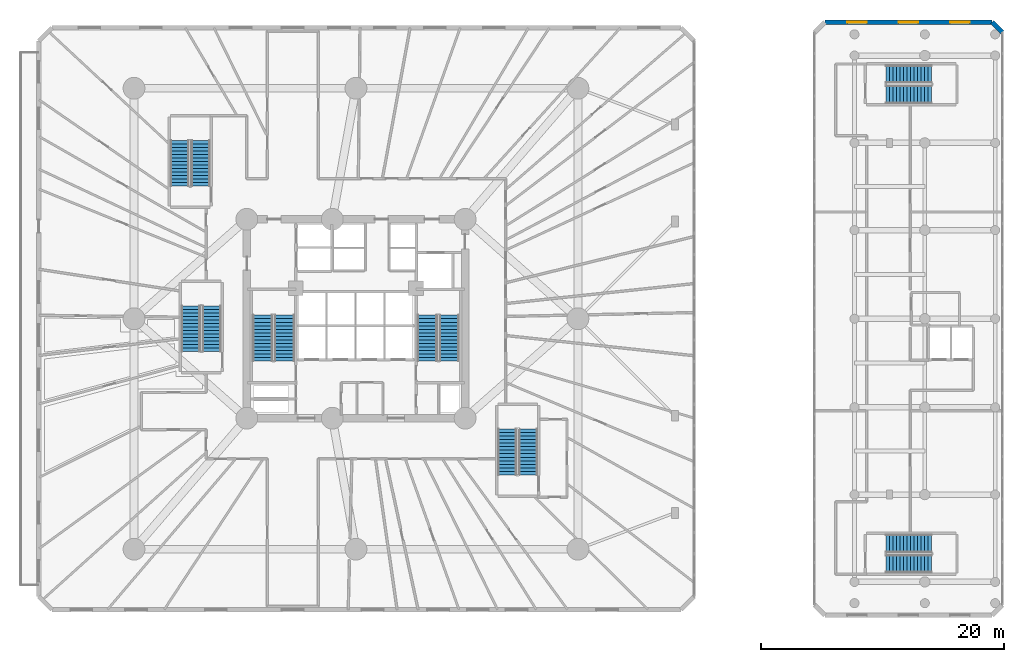
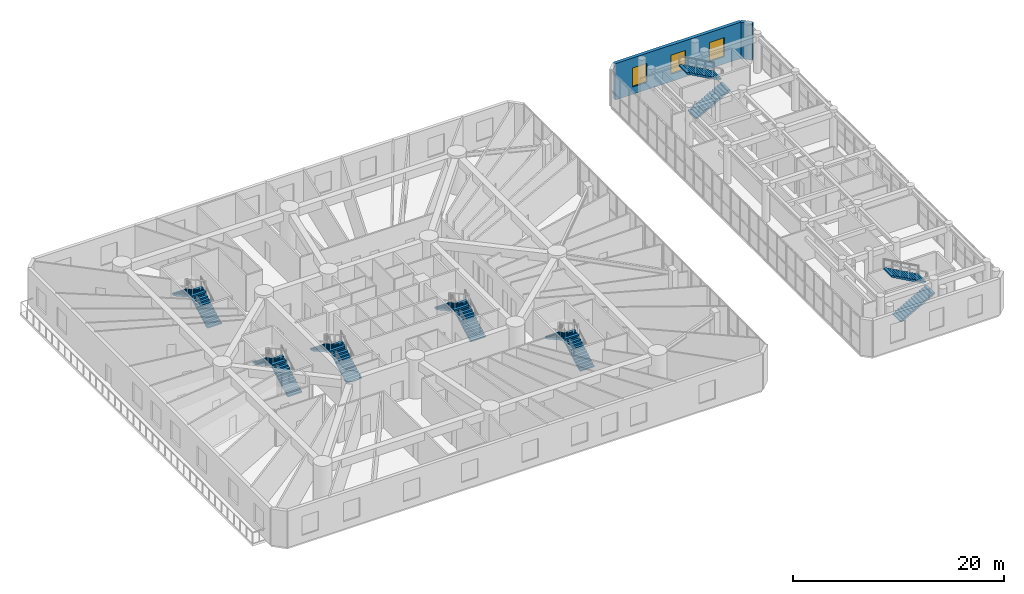
# One storey, part 20 of 26: 14 stair flights, 3 windows, 2 walls, 3 openings, 7 elements without a shape of their own.
"""IFC4 building model written with IfcOpenShell, lengths in metres."""

from ifc_helpers import new_model, si_unit, direction, frame, frame_2d, origin, origin_with_axes, place, context, subcontext, project, spatial, polyline, rectangle, outline, extrude, source, transform, mapped, material, layer, layer_set, type_object, element, fill, aggregate, save


model = new_model("IFC4")

# Units and contexts
model_context = context("Model", 3, precision=1e-05, world=origin(), true_north=direction((0.0, 1.0)))
body_context = subcontext(model_context, "Body", "Model", "MODEL_VIEW")
ifc_project = project(units=[si_unit("LENGTHUNIT", "METRE"), si_unit("AREAUNIT", "SQUARE_METRE"), si_unit("VOLUMEUNIT", "CUBIC_METRE"), si_unit("PLANEANGLEUNIT", "RADIAN"), si_unit("MASSUNIT", "GRAM", prefix="KILO")], contexts=[model_context])

# Site, building, storey
site_placement = place(None, origin())
site = spatial("IfcSite", under=ifc_project, at=site_placement, CompositionType="ELEMENT")
building_placement = place(site_placement, origin())
building = spatial("IfcBuilding", under=site, at=building_placement, Name="Karkom Vertical University and Central Library", CompositionType="ELEMENT")
storey_placement = place(building_placement, frame((0.0, 0.0, 4.5)))
storey = spatial("IfcBuildingStorey", under=building, at=storey_placement, Name="L01", CompositionType="ELEMENT", Elevation=4.5)

# Wall
ifc_material_1 = material(Name="Brick masonry 360mm insulated cavity", Category="masonry")
ifc_layer = layer(ifc_material_1, 0.360107421875)
ifc_layer_set = layer_set([ifc_layer], Name="Brick masonry 360mm insulated cavity")
wall_type = type_object("IfcWallType", Name="ENV-WL-BRK-360", PredefinedType="SOLIDWALL", material=ifc_layer_set)
wall_1_placement = place(storey_placement, frame((81.800048828125, 50.10009765625, 0.0), z_axis=(0.0, 0.0, 1.0), x_axis=(-0.707208325923, 0.707005221866, 0.0)))
element("IfcWall", 1, at=wall_1_placement, inside=storey, type_object=wall_type, Name="Level 01 LIB Terracotta Brick Facade Wall 04", PredefinedType="SOLIDWALL", context=body_context, shape_type="SweptSolid", body=[
    extrude(rectangle(XDim=1.2021484375, YDim=0.360107421875, at=frame_2d((0.60107421875, 0.0))), origin(), (0.0, 0.0, 1.0), 4.199951171875),
])

# Wall, openings, windows
wall_2_placement = place(storey_placement, frame((80.949951171875, 50.949951171875, 0.0), z_axis=(0.0, 0.0, 1.0), x_axis=(-1.0, 0.0, 0.0)))
wall_2 = element("IfcWall", 2, at=wall_2_placement, inside=storey, type_object=wall_type, Name="Level 01 LIB Terracotta Brick Facade Wall 05", PredefinedType="SOLIDWALL", context=body_context, shape_type="SweptSolid", body=[
    extrude(rectangle(XDim=13.800048828125, YDim=0.360107421875, at=frame_2d((6.89990234375, 0.0))), origin(), (0.0, 0.0, 1.0), 4.199951171875),
])
opening_1_placement = place(wall_2_placement, frame((1.86669921875, 0.0, 0.85009765625)))
opening_1 = element("IfcOpeningElement", 3, at=opening_1_placement, cuts=wall_2, Name="Opening WN-02", PredefinedType="OPENING", context=body_context, shape_type="SweptSolid", body=[
    extrude(rectangle(XDim=1.60009765625, YDim=2.199951171875, at=frame_2d((0.800048828125, 1.10009765625))), frame((0.0, 0.18994140625, 0.0), z_axis=(0.0, -1.0, 0.0), x_axis=(1.0, 0.0, 0.0)), (0.0, 0.0, 1.0), 0.380126953125),
])
opening_2_placement = place(wall_2_placement, frame((6.10009765625, 0.0, 0.85009765625)))
opening_2 = element("IfcOpeningElement", 4, at=opening_2_placement, cuts=wall_2, Name="Opening WN-02", PredefinedType="OPENING", context=body_context, shape_type="SweptSolid", body=[
    extrude(rectangle(XDim=1.60009765625, YDim=2.199951171875, at=frame_2d((0.800048828125, 1.10009765625))), frame((0.0, 0.18994140625, 0.0), z_axis=(0.0, -1.0, 0.0), x_axis=(1.0, 0.0, 0.0)), (0.0, 0.0, 1.0), 0.380126953125),
])
opening_3_placement = place(wall_2_placement, frame((10.333251953125, 0.0, 0.85009765625)))
opening_3 = element("IfcOpeningElement", 5, at=opening_3_placement, cuts=wall_2, Name="Opening WN-02", PredefinedType="OPENING", context=body_context, shape_type="SweptSolid", body=[
    extrude(rectangle(XDim=1.60009765625, YDim=2.199951171875, at=frame_2d((0.800048828125, 1.10009765625))), frame((0.0, 0.18994140625, 0.0), z_axis=(0.0, -1.0, 0.0), x_axis=(1.0, 0.0, 0.0)), (0.0, 0.0, 1.0), 0.380126953125),
])
ifc_material_2 = material(Name="Aluminium thermal-break frame with solar-control IGU", Category="aluminium")
window_type = type_object("IfcWindowType", Name="ENV-WIN-WN-02", PartitioningType="SINGLE_PANEL", PredefinedType="WINDOW", material=ifc_material_2)
shared_shape = source(origin_with_axes(), body_context, "Body", "SweptSolid", [
    extrude(rectangle(XDim=1.60009765625, YDim=2.199951171875, at=frame_2d((0.800048828125, 1.10009765625))), frame((0.0, 0.030029296875, 0.0), z_axis=(0.0, -1.0, 0.0), x_axis=(1.0, 0.0, 0.0)), (0.0, 0.0, 1.0), 0.06005859375),
])
window_1_placement = place(opening_1_placement, origin())
window_1 = element("IfcWindow", 6, at=window_1_placement, inside=storey, type_object=window_type, Name="Level 01 LIB Punched Window 01", OverallHeight=2.199951171875, OverallWidth=1.60009765625, PartitioningType="SINGLE_PANEL", PredefinedType="WINDOW", context=body_context, shape_type="MappedRepresentation", body=[
    mapped(shared_shape, transform((0.0, 0.0, 0.0), scale=1.0)),
])
fill(opening_1, window_1)
window_2_placement = place(opening_2_placement, origin())
window_2 = element("IfcWindow", 7, at=window_2_placement, inside=storey, type_object=window_type, Name="Level 01 LIB Punched Window 02", OverallHeight=2.199951171875, OverallWidth=1.60009765625, PartitioningType="SINGLE_PANEL", PredefinedType="WINDOW", context=body_context, shape_type="MappedRepresentation", body=[
    mapped(shared_shape, transform((0.0, 0.0, 0.0), scale=1.0)),
])
fill(opening_2, window_2)
window_3_placement = place(opening_3_placement, origin())
window_3 = element("IfcWindow", 8, at=window_3_placement, inside=storey, type_object=window_type, Name="Level 01 LIB Punched Window 03", OverallHeight=2.199951171875, OverallWidth=1.60009765625, PartitioningType="SINGLE_PANEL", PredefinedType="WINDOW", context=body_context, shape_type="MappedRepresentation", body=[
    mapped(shared_shape, transform((0.0, 0.0, 0.0), scale=1.0)),
])
fill(opening_3, window_3)

# Stair, stair flights
ifc_material_3 = material(Name="Concrete C45/55", Category="concrete")
stair_type_1 = type_object("IfcStairType", Name="INT-STR-ST-LIB", PredefinedType="HALF_TURN_STAIR", material=ifc_material_3)
stair_1_placement = place(storey_placement, origin())
stair_1 = element("IfcStair", 9, at=stair_1_placement, inside=storey, type_object=stair_type_1, Name="Level 01 Central Library South Exit Stair LIB-ST1", PredefinedType="HALF_TURN_STAIR")
stair_flight_type_1 = type_object("IfcStairFlightType", Name="INT-SFL-ST-LIB", PredefinedType="STRAIGHT", material=ifc_material_3)
stair_flight_1_placement = place(storey_placement, frame((72.199951171875, 6.300048828125, 0.0), z_axis=(0.0, 0.0, 1.0), x_axis=(1.0, 0.0, 0.0)))
stair_flight_1 = element("IfcStairFlight", 10, at=stair_flight_1_placement, type_object=stair_flight_type_1, Name="LIB-ST1 flight 1", NumberOfRisers=14, NumberOfTreads=13, PredefinedType="STRAIGHT", RiserHeight=0.160714286, TreadLength=0.29, context=body_context, shape_type="SweptSolid", body=[
    extrude(outline(polyline([(0.0, 0.0), (0.0, 0.16064453125), (0.2900390625, 0.16064453125), (0.2900390625, 0.321533203125), (0.580078125, 0.321533203125), (0.580078125, 0.482177734375), (0.8701171875, 0.482177734375), (0.8701171875, 0.642822265625), (1.159912109375, 0.642822265625), (1.159912109375, 0.803466796875), (1.449951171875, 0.803466796875), (1.449951171875, 0.96435546875), (1.739990234375, 0.96435546875), (1.739990234375, 1.125), (2.030029296875, 1.125), (2.030029296875, 1.28564453125), (2.320068359375, 1.28564453125), (2.320068359375, 1.446533203125), (2.610107421875, 1.446533203125), (2.610107421875, 1.607177734375), (2.89990234375, 1.607177734375), (2.89990234375, 1.767822265625), (3.18994140625, 1.767822265625), (3.18994140625, 1.928466796875), (3.47998046875, 1.928466796875), (3.47998046875, 2.08935546875), (3.77001953125, 2.08935546875), (3.77001953125, 2.25), (3.77001953125, 1.91796875), (0.309326171875, 0.0), (0.0, 0.0)])), frame((0.0, 0.75, 0.0), z_axis=(0.0, -1.0, 0.0), x_axis=(1.0, 0.0, 0.0)), (0.0, 0.0, 1.0), 1.5),
])
stair_flight_2_placement = place(storey_placement, frame((75.969970703125, 7.9599609375, 2.25), z_axis=(0.0, 0.0, 1.0), x_axis=(-1.0, 0.0, 0.0)))
stair_flight_2 = element("IfcStairFlight", 11, at=stair_flight_2_placement, type_object=stair_flight_type_1, Name="LIB-ST1 flight 2", NumberOfRisers=14, NumberOfTreads=13, PredefinedType="STRAIGHT", RiserHeight=0.160714286, TreadLength=0.29, context=body_context, shape_type="SweptSolid", body=[
    extrude(outline(polyline([(0.0, 0.0), (0.0, 0.16064453125), (0.2900390625, 0.16064453125), (0.2900390625, 0.321533203125), (0.580078125, 0.321533203125), (0.580078125, 0.482177734375), (0.8701171875, 0.482177734375), (0.8701171875, 0.642822265625), (1.159912109375, 0.642822265625), (1.159912109375, 0.803466796875), (1.449951171875, 0.803466796875), (1.449951171875, 0.96435546875), (1.739990234375, 0.96435546875), (1.739990234375, 1.125), (2.030029296875, 1.125), (2.030029296875, 1.28564453125), (2.320068359375, 1.28564453125), (2.320068359375, 1.446533203125), (2.610107421875, 1.446533203125), (2.610107421875, 1.607177734375), (2.89990234375, 1.607177734375), (2.89990234375, 1.767822265625), (3.18994140625, 1.767822265625), (3.18994140625, 1.928466796875), (3.47998046875, 1.928466796875), (3.47998046875, 2.08935546875), (3.77001953125, 2.08935546875), (3.77001953125, 2.25), (3.77001953125, 1.91796875), (0.309326171875, 0.0), (0.0, 0.0)])), frame((0.0, 0.75, 0.0), z_axis=(0.0, -1.0, 0.0), x_axis=(1.0, 0.0, 0.0)), (0.0, 0.0, 1.0), 1.5),
])
aggregate(stair_1, [stair_flight_1, stair_flight_2])

stair_2_placement = place(storey_placement, origin())
stair_2 = element("IfcStair", 12, at=stair_2_placement, inside=storey, type_object=stair_type_1, Name="Level 01 Central Library North Exit Stair LIB-ST2", PredefinedType="HALF_TURN_STAIR")
stair_flight_3_placement = place(storey_placement, frame((72.199951171875, 45.0, 0.0), z_axis=(0.0, 0.0, 1.0), x_axis=(1.0, 0.0, 0.0)))
stair_flight_3 = element("IfcStairFlight", 13, at=stair_flight_3_placement, type_object=stair_flight_type_1, Name="LIB-ST2 flight 1", NumberOfRisers=14, NumberOfTreads=13, PredefinedType="STRAIGHT", RiserHeight=0.160714286, TreadLength=0.29, context=body_context, shape_type="SweptSolid", body=[
    extrude(outline(polyline([(0.0, 0.0), (0.0, 0.16064453125), (0.2900390625, 0.16064453125), (0.2900390625, 0.321533203125), (0.580078125, 0.321533203125), (0.580078125, 0.482177734375), (0.8701171875, 0.482177734375), (0.8701171875, 0.642822265625), (1.159912109375, 0.642822265625), (1.159912109375, 0.803466796875), (1.449951171875, 0.803466796875), (1.449951171875, 0.96435546875), (1.739990234375, 0.96435546875), (1.739990234375, 1.125), (2.030029296875, 1.125), (2.030029296875, 1.28564453125), (2.320068359375, 1.28564453125), (2.320068359375, 1.446533203125), (2.610107421875, 1.446533203125), (2.610107421875, 1.607177734375), (2.89990234375, 1.607177734375), (2.89990234375, 1.767822265625), (3.18994140625, 1.767822265625), (3.18994140625, 1.928466796875), (3.47998046875, 1.928466796875), (3.47998046875, 2.08935546875), (3.77001953125, 2.08935546875), (3.77001953125, 2.25), (3.77001953125, 1.91796875), (0.309326171875, 0.0), (0.0, 0.0)])), frame((0.0, 0.75, 0.0), z_axis=(0.0, -1.0, 0.0), x_axis=(1.0, 0.0, 0.0)), (0.0, 0.0, 1.0), 1.5),
])
stair_flight_4_placement = place(storey_placement, frame((75.969970703125, 46.659912109375, 2.25), z_axis=(0.0, 0.0, 1.0), x_axis=(-1.0, 0.0, 0.0)))
stair_flight_4 = element("IfcStairFlight", 14, at=stair_flight_4_placement, type_object=stair_flight_type_1, Name="LIB-ST2 flight 2", NumberOfRisers=14, NumberOfTreads=13, PredefinedType="STRAIGHT", RiserHeight=0.160714286, TreadLength=0.29, context=body_context, shape_type="SweptSolid", body=[
    extrude(outline(polyline([(0.0, 0.0), (0.0, 0.16064453125), (0.2900390625, 0.16064453125), (0.2900390625, 0.321533203125), (0.580078125, 0.321533203125), (0.580078125, 0.482177734375), (0.8701171875, 0.482177734375), (0.8701171875, 0.642822265625), (1.159912109375, 0.642822265625), (1.159912109375, 0.803466796875), (1.449951171875, 0.803466796875), (1.449951171875, 0.96435546875), (1.739990234375, 0.96435546875), (1.739990234375, 1.125), (2.030029296875, 1.125), (2.030029296875, 1.28564453125), (2.320068359375, 1.28564453125), (2.320068359375, 1.446533203125), (2.610107421875, 1.446533203125), (2.610107421875, 1.607177734375), (2.89990234375, 1.607177734375), (2.89990234375, 1.767822265625), (3.18994140625, 1.767822265625), (3.18994140625, 1.928466796875), (3.47998046875, 1.928466796875), (3.47998046875, 2.08935546875), (3.77001953125, 2.08935546875), (3.77001953125, 2.25), (3.77001953125, 1.91796875), (0.309326171875, 0.0), (0.0, 0.0)])), frame((0.0, 0.75, 0.0), z_axis=(0.0, -1.0, 0.0), x_axis=(1.0, 0.0, 0.0)), (0.0, 0.0, 1.0), 1.5),
])
aggregate(stair_2, [stair_flight_3, stair_flight_4])

stair_type_2 = type_object("IfcStairType", Name="INT-STR-ST-MAIN", PredefinedType="HALF_TURN_STAIR", material=ifc_material_3)
stair_3_placement = place(storey_placement, origin())
stair_3 = element("IfcStair", 15, at=stair_3_placement, inside=storey, type_object=stair_type_2, Name="Level 01 Tower Protected Exit Stair ST-1", PredefinedType="HALF_TURN_STAIR")
stair_flight_type_2 = type_object("IfcStairFlightType", Name="INT-SFL-ST-MAIN", PredefinedType="STRAIGHT", material=ifc_material_3)
stair_flight_5_placement = place(storey_placement, frame((22.614990234375, 23.02001953125, 0.0), z_axis=(0.0, 0.0, 1.0), x_axis=(0.0, 1.0, 0.0)))
stair_flight_5 = element("IfcStairFlight", 16, at=stair_flight_5_placement, type_object=stair_flight_type_2, Name="ST-1 flight 1", NumberOfRisers=14, NumberOfTreads=13, PredefinedType="STRAIGHT", RiserHeight=0.160714286, TreadLength=0.29, context=body_context, shape_type="SweptSolid", body=[
    extrude(outline(polyline([(0.0, 0.0), (0.0, 0.16064453125), (0.2900390625, 0.16064453125), (0.2900390625, 0.321533203125), (0.580078125, 0.321533203125), (0.580078125, 0.482177734375), (0.8701171875, 0.482177734375), (0.8701171875, 0.642822265625), (1.159912109375, 0.642822265625), (1.159912109375, 0.803466796875), (1.449951171875, 0.803466796875), (1.449951171875, 0.96435546875), (1.739990234375, 0.96435546875), (1.739990234375, 1.125), (2.030029296875, 1.125), (2.030029296875, 1.28564453125), (2.320068359375, 1.28564453125), (2.320068359375, 1.446533203125), (2.610107421875, 1.446533203125), (2.610107421875, 1.607177734375), (2.89990234375, 1.607177734375), (2.89990234375, 1.767822265625), (3.18994140625, 1.767822265625), (3.18994140625, 1.928466796875), (3.47998046875, 1.928466796875), (3.47998046875, 2.08935546875), (3.77001953125, 2.08935546875), (3.77001953125, 2.25), (3.77001953125, 1.91796875), (0.309326171875, 0.0), (0.0, 0.0)])), frame((0.0, 0.824951171875, 0.0), z_axis=(0.0, -1.0, 0.0), x_axis=(1.0, 0.0, 0.0)), (0.0, 0.0, 1.0), 1.64990234375),
])
stair_flight_6_placement = place(storey_placement, frame((20.804931640625, 26.7900390625, 2.25), z_axis=(0.0, 0.0, 1.0), x_axis=(0.0, -1.0, 0.0)))
stair_flight_6 = element("IfcStairFlight", 17, at=stair_flight_6_placement, type_object=stair_flight_type_2, Name="ST-1 flight 2", NumberOfRisers=14, NumberOfTreads=13, PredefinedType="STRAIGHT", RiserHeight=0.160714286, TreadLength=0.29, context=body_context, shape_type="SweptSolid", body=[
    extrude(outline(polyline([(0.0, 0.0), (0.0, 0.16064453125), (0.2900390625, 0.16064453125), (0.2900390625, 0.321533203125), (0.580078125, 0.321533203125), (0.580078125, 0.482177734375), (0.8701171875, 0.482177734375), (0.8701171875, 0.642822265625), (1.159912109375, 0.642822265625), (1.159912109375, 0.803466796875), (1.449951171875, 0.803466796875), (1.449951171875, 0.96435546875), (1.739990234375, 0.96435546875), (1.739990234375, 1.125), (2.030029296875, 1.125), (2.030029296875, 1.28564453125), (2.320068359375, 1.28564453125), (2.320068359375, 1.446533203125), (2.610107421875, 1.446533203125), (2.610107421875, 1.607177734375), (2.89990234375, 1.607177734375), (2.89990234375, 1.767822265625), (3.18994140625, 1.767822265625), (3.18994140625, 1.928466796875), (3.47998046875, 1.928466796875), (3.47998046875, 2.08935546875), (3.77001953125, 2.08935546875), (3.77001953125, 2.25), (3.77001953125, 1.91796875), (0.309326171875, 0.0), (0.0, 0.0)])), frame((0.0, 0.824951171875, 0.0), z_axis=(0.0, -1.0, 0.0), x_axis=(1.0, 0.0, 0.0)), (0.0, 0.0, 1.0), 1.64990234375),
])
aggregate(stair_3, [stair_flight_5, stair_flight_6])

stair_4_placement = place(storey_placement, origin())
stair_4 = element("IfcStair", 18, at=stair_4_placement, inside=storey, type_object=stair_type_2, Name="Level 01 Tower Protected Exit Stair ST-2", PredefinedType="HALF_TURN_STAIR")
stair_flight_7_placement = place(storey_placement, frame((36.195068359375, 23.02001953125, 0.0), z_axis=(0.0, 0.0, 1.0), x_axis=(0.0, 1.0, 0.0)))
stair_flight_7 = element("IfcStairFlight", 19, at=stair_flight_7_placement, type_object=stair_flight_type_2, Name="ST-2 flight 1", NumberOfRisers=14, NumberOfTreads=13, PredefinedType="STRAIGHT", RiserHeight=0.160714286, TreadLength=0.29, context=body_context, shape_type="SweptSolid", body=[
    extrude(outline(polyline([(0.0, 0.0), (0.0, 0.16064453125), (0.2900390625, 0.16064453125), (0.2900390625, 0.321533203125), (0.580078125, 0.321533203125), (0.580078125, 0.482177734375), (0.8701171875, 0.482177734375), (0.8701171875, 0.642822265625), (1.159912109375, 0.642822265625), (1.159912109375, 0.803466796875), (1.449951171875, 0.803466796875), (1.449951171875, 0.96435546875), (1.739990234375, 0.96435546875), (1.739990234375, 1.125), (2.030029296875, 1.125), (2.030029296875, 1.28564453125), (2.320068359375, 1.28564453125), (2.320068359375, 1.446533203125), (2.610107421875, 1.446533203125), (2.610107421875, 1.607177734375), (2.89990234375, 1.607177734375), (2.89990234375, 1.767822265625), (3.18994140625, 1.767822265625), (3.18994140625, 1.928466796875), (3.47998046875, 1.928466796875), (3.47998046875, 2.08935546875), (3.77001953125, 2.08935546875), (3.77001953125, 2.25), (3.77001953125, 1.91796875), (0.309326171875, 0.0), (0.0, 0.0)])), frame((0.0, 0.824951171875, 0.0), z_axis=(0.0, -1.0, 0.0), x_axis=(1.0, 0.0, 0.0)), (0.0, 0.0, 1.0), 1.64990234375),
])
stair_flight_8_placement = place(storey_placement, frame((34.385009765625, 26.7900390625, 2.25), z_axis=(0.0, 0.0, 1.0), x_axis=(0.0, -1.0, 0.0)))
stair_flight_8 = element("IfcStairFlight", 20, at=stair_flight_8_placement, type_object=stair_flight_type_2, Name="ST-2 flight 2", NumberOfRisers=14, NumberOfTreads=13, PredefinedType="STRAIGHT", RiserHeight=0.160714286, TreadLength=0.29, context=body_context, shape_type="SweptSolid", body=[
    extrude(outline(polyline([(0.0, 0.0), (0.0, 0.16064453125), (0.2900390625, 0.16064453125), (0.2900390625, 0.321533203125), (0.580078125, 0.321533203125), (0.580078125, 0.482177734375), (0.8701171875, 0.482177734375), (0.8701171875, 0.642822265625), (1.159912109375, 0.642822265625), (1.159912109375, 0.803466796875), (1.449951171875, 0.803466796875), (1.449951171875, 0.96435546875), (1.739990234375, 0.96435546875), (1.739990234375, 1.125), (2.030029296875, 1.125), (2.030029296875, 1.28564453125), (2.320068359375, 1.28564453125), (2.320068359375, 1.446533203125), (2.610107421875, 1.446533203125), (2.610107421875, 1.607177734375), (2.89990234375, 1.607177734375), (2.89990234375, 1.767822265625), (3.18994140625, 1.767822265625), (3.18994140625, 1.928466796875), (3.47998046875, 1.928466796875), (3.47998046875, 2.08935546875), (3.77001953125, 2.08935546875), (3.77001953125, 2.25), (3.77001953125, 1.91796875), (0.309326171875, 0.0), (0.0, 0.0)])), frame((0.0, 0.824951171875, 0.0), z_axis=(0.0, -1.0, 0.0), x_axis=(1.0, 0.0, 0.0)), (0.0, 0.0, 1.0), 1.64990234375),
])
aggregate(stair_4, [stair_flight_7, stair_flight_8])

stair_type_3 = type_object("IfcStairType", Name="INT-STR-ST-SEC", PredefinedType="HALF_TURN_STAIR", material=ifc_material_3)
stair_5_placement = place(storey_placement, origin())
stair_5 = element("IfcStair", 21, at=stair_5_placement, inside=storey, type_object=stair_type_3, Name="Level 01 Academic Zone Protected Exit Stair ST-3", PredefinedType="HALF_TURN_STAIR")
stair_flight_type_3 = type_object("IfcStairFlightType", Name="INT-SFL-ST-SEC", PredefinedType="STRAIGHT", material=ifc_material_3)
stair_flight_9_placement = place(storey_placement, frame((16.60498046875, 23.800048828125, 0.0), z_axis=(0.0, 0.0, 1.0), x_axis=(0.0, 1.0, 0.0)))
stair_flight_9 = element("IfcStairFlight", 22, at=stair_flight_9_placement, type_object=stair_flight_type_3, Name="ST-3 flight 1", NumberOfRisers=14, NumberOfTreads=13, PredefinedType="STRAIGHT", RiserHeight=0.160714286, TreadLength=0.29, context=body_context, shape_type="SweptSolid", body=[
    extrude(outline(polyline([(0.0, 0.0), (0.0, 0.16064453125), (0.2900390625, 0.16064453125), (0.2900390625, 0.321533203125), (0.580078125, 0.321533203125), (0.580078125, 0.482177734375), (0.8701171875, 0.482177734375), (0.8701171875, 0.642822265625), (1.159912109375, 0.642822265625), (1.159912109375, 0.803466796875), (1.449951171875, 0.803466796875), (1.449951171875, 0.96435546875), (1.739990234375, 0.96435546875), (1.739990234375, 1.125), (2.030029296875, 1.125), (2.030029296875, 1.28564453125), (2.320068359375, 1.28564453125), (2.320068359375, 1.446533203125), (2.610107421875, 1.446533203125), (2.610107421875, 1.607177734375), (2.89990234375, 1.607177734375), (2.89990234375, 1.767822265625), (3.18994140625, 1.767822265625), (3.18994140625, 1.928466796875), (3.47998046875, 1.928466796875), (3.47998046875, 2.08935546875), (3.77001953125, 2.08935546875), (3.77001953125, 2.25), (3.77001953125, 1.91796875), (0.309326171875, 0.0), (0.0, 0.0)])), frame((0.0, 0.77490234375, 0.0), z_axis=(0.0, -1.0, 0.0), x_axis=(1.0, 0.0, 0.0)), (0.0, 0.0, 1.0), 1.550048828125),
])
stair_flight_10_placement = place(storey_placement, frame((14.89501953125, 27.570068359375, 2.25), z_axis=(0.0, 0.0, 1.0), x_axis=(0.0, -1.0, 0.0)))
stair_flight_10 = element("IfcStairFlight", 23, at=stair_flight_10_placement, type_object=stair_flight_type_3, Name="ST-3 flight 2", NumberOfRisers=14, NumberOfTreads=13, PredefinedType="STRAIGHT", RiserHeight=0.160714286, TreadLength=0.29, context=body_context, shape_type="SweptSolid", body=[
    extrude(outline(polyline([(0.0, 0.0), (0.0, 0.16064453125), (0.2900390625, 0.16064453125), (0.2900390625, 0.321533203125), (0.580078125, 0.321533203125), (0.580078125, 0.482177734375), (0.8701171875, 0.482177734375), (0.8701171875, 0.642822265625), (1.159912109375, 0.642822265625), (1.159912109375, 0.803466796875), (1.449951171875, 0.803466796875), (1.449951171875, 0.96435546875), (1.739990234375, 0.96435546875), (1.739990234375, 1.125), (2.030029296875, 1.125), (2.030029296875, 1.28564453125), (2.320068359375, 1.28564453125), (2.320068359375, 1.446533203125), (2.610107421875, 1.446533203125), (2.610107421875, 1.607177734375), (2.89990234375, 1.607177734375), (2.89990234375, 1.767822265625), (3.18994140625, 1.767822265625), (3.18994140625, 1.928466796875), (3.47998046875, 1.928466796875), (3.47998046875, 2.08935546875), (3.77001953125, 2.08935546875), (3.77001953125, 2.25), (3.77001953125, 1.91796875), (0.309326171875, 0.0), (0.0, 0.0)])), frame((0.0, 0.77490234375, 0.0), z_axis=(0.0, -1.0, 0.0), x_axis=(1.0, 0.0, 0.0)), (0.0, 0.0, 1.0), 1.550048828125),
])
aggregate(stair_5, [stair_flight_9, stair_flight_10])

stair_6_placement = place(storey_placement, origin())
stair_6 = element("IfcStair", 24, at=stair_6_placement, inside=storey, type_object=stair_type_3, Name="Level 01 Podium Terraced Feature Stair POD-ST1", PredefinedType="HALF_TURN_STAIR")
stair_flight_11_placement = place(storey_placement, frame((42.68505859375, 13.6298828125, 0.0), z_axis=(0.0, 0.0, 1.0), x_axis=(0.0, 1.0, 0.0)))
stair_flight_11 = element("IfcStairFlight", 25, at=stair_flight_11_placement, type_object=stair_flight_type_3, Name="POD-ST1 flight 1", NumberOfRisers=14, NumberOfTreads=13, PredefinedType="STRAIGHT", RiserHeight=0.160714286, TreadLength=0.29, context=body_context, shape_type="SweptSolid", body=[
    extrude(outline(polyline([(0.0, 0.0), (0.0, 0.16064453125), (0.2900390625, 0.16064453125), (0.2900390625, 0.321533203125), (0.580078125, 0.321533203125), (0.580078125, 0.482177734375), (0.8701171875, 0.482177734375), (0.8701171875, 0.642822265625), (1.159912109375, 0.642822265625), (1.159912109375, 0.803466796875), (1.449951171875, 0.803466796875), (1.449951171875, 0.96435546875), (1.739990234375, 0.96435546875), (1.739990234375, 1.125), (2.030029296875, 1.125), (2.030029296875, 1.28564453125), (2.320068359375, 1.28564453125), (2.320068359375, 1.446533203125), (2.610107421875, 1.446533203125), (2.610107421875, 1.607177734375), (2.89990234375, 1.607177734375), (2.89990234375, 1.767822265625), (3.18994140625, 1.767822265625), (3.18994140625, 1.928466796875), (3.47998046875, 1.928466796875), (3.47998046875, 2.08935546875), (3.77001953125, 2.08935546875), (3.77001953125, 2.25), (3.77001953125, 1.91796875), (0.309326171875, 0.0), (0.0, 0.0)])), frame((0.0, 0.77490234375, 0.0), z_axis=(0.0, -1.0, 0.0), x_axis=(1.0, 0.0, 0.0)), (0.0, 0.0, 1.0), 1.550048828125),
])
stair_flight_12_placement = place(storey_placement, frame((40.97509765625, 17.39990234375, 2.25), z_axis=(0.0, 0.0, 1.0), x_axis=(0.0, -1.0, 0.0)))
stair_flight_12 = element("IfcStairFlight", 26, at=stair_flight_12_placement, type_object=stair_flight_type_3, Name="POD-ST1 flight 2", NumberOfRisers=14, NumberOfTreads=13, PredefinedType="STRAIGHT", RiserHeight=0.160714286, TreadLength=0.29, context=body_context, shape_type="SweptSolid", body=[
    extrude(outline(polyline([(0.0, 0.0), (0.0, 0.16064453125), (0.2900390625, 0.16064453125), (0.2900390625, 0.321533203125), (0.580078125, 0.321533203125), (0.580078125, 0.482177734375), (0.8701171875, 0.482177734375), (0.8701171875, 0.642822265625), (1.159912109375, 0.642822265625), (1.159912109375, 0.803466796875), (1.449951171875, 0.803466796875), (1.449951171875, 0.96435546875), (1.739990234375, 0.96435546875), (1.739990234375, 1.125), (2.030029296875, 1.125), (2.030029296875, 1.28564453125), (2.320068359375, 1.28564453125), (2.320068359375, 1.446533203125), (2.610107421875, 1.446533203125), (2.610107421875, 1.607177734375), (2.89990234375, 1.607177734375), (2.89990234375, 1.767822265625), (3.18994140625, 1.767822265625), (3.18994140625, 1.928466796875), (3.47998046875, 1.928466796875), (3.47998046875, 2.08935546875), (3.77001953125, 2.08935546875), (3.77001953125, 2.25), (3.77001953125, 1.91796875), (0.309326171875, 0.0), (0.0, 0.0)])), frame((0.0, 0.77490234375, 0.0), z_axis=(0.0, -1.0, 0.0), x_axis=(1.0, 0.0, 0.0)), (0.0, 0.0, 1.0), 1.550048828125),
])
aggregate(stair_6, [stair_flight_11, stair_flight_12])

stair_7_placement = place(storey_placement, origin())
stair_7 = element("IfcStair", 27, at=stair_7_placement, inside=storey, type_object=stair_type_3, Name="Level 01 Podium Gallery Stair POD-ST2", PredefinedType="HALF_TURN_STAIR")
stair_flight_13_placement = place(storey_placement, frame((15.68505859375, 37.429931640625, 0.0), z_axis=(0.0, 0.0, 1.0), x_axis=(0.0, 1.0, 0.0)))
stair_flight_13 = element("IfcStairFlight", 28, at=stair_flight_13_placement, type_object=stair_flight_type_3, Name="POD-ST2 flight 1", NumberOfRisers=14, NumberOfTreads=13, PredefinedType="STRAIGHT", RiserHeight=0.160714286, TreadLength=0.29, context=body_context, shape_type="SweptSolid", body=[
    extrude(outline(polyline([(0.0, 0.0), (0.0, 0.16064453125), (0.2900390625, 0.16064453125), (0.2900390625, 0.321533203125), (0.580078125, 0.321533203125), (0.580078125, 0.482177734375), (0.8701171875, 0.482177734375), (0.8701171875, 0.642822265625), (1.159912109375, 0.642822265625), (1.159912109375, 0.803466796875), (1.449951171875, 0.803466796875), (1.449951171875, 0.96435546875), (1.739990234375, 0.96435546875), (1.739990234375, 1.125), (2.030029296875, 1.125), (2.030029296875, 1.28564453125), (2.320068359375, 1.28564453125), (2.320068359375, 1.446533203125), (2.610107421875, 1.446533203125), (2.610107421875, 1.607177734375), (2.89990234375, 1.607177734375), (2.89990234375, 1.767822265625), (3.18994140625, 1.767822265625), (3.18994140625, 1.928466796875), (3.47998046875, 1.928466796875), (3.47998046875, 2.08935546875), (3.77001953125, 2.08935546875), (3.77001953125, 2.25), (3.77001953125, 1.91796875), (0.309326171875, 0.0), (0.0, 0.0)])), frame((0.0, 0.77490234375, 0.0), z_axis=(0.0, -1.0, 0.0), x_axis=(1.0, 0.0, 0.0)), (0.0, 0.0, 1.0), 1.550048828125),
])
stair_flight_14_placement = place(storey_placement, frame((13.97509765625, 41.199951171875, 2.25), z_axis=(0.0, 0.0, 1.0), x_axis=(0.0, -1.0, 0.0)))
stair_flight_14 = element("IfcStairFlight", 29, at=stair_flight_14_placement, type_object=stair_flight_type_3, Name="POD-ST2 flight 2", NumberOfRisers=14, NumberOfTreads=13, PredefinedType="STRAIGHT", RiserHeight=0.160714286, TreadLength=0.29, context=body_context, shape_type="SweptSolid", body=[
    extrude(outline(polyline([(0.0, 0.0), (0.0, 0.16064453125), (0.2900390625, 0.16064453125), (0.2900390625, 0.321533203125), (0.580078125, 0.321533203125), (0.580078125, 0.482177734375), (0.8701171875, 0.482177734375), (0.8701171875, 0.642822265625), (1.159912109375, 0.642822265625), (1.159912109375, 0.803466796875), (1.449951171875, 0.803466796875), (1.449951171875, 0.96435546875), (1.739990234375, 0.96435546875), (1.739990234375, 1.125), (2.030029296875, 1.125), (2.030029296875, 1.28564453125), (2.320068359375, 1.28564453125), (2.320068359375, 1.446533203125), (2.610107421875, 1.446533203125), (2.610107421875, 1.607177734375), (2.89990234375, 1.607177734375), (2.89990234375, 1.767822265625), (3.18994140625, 1.767822265625), (3.18994140625, 1.928466796875), (3.47998046875, 1.928466796875), (3.47998046875, 2.08935546875), (3.77001953125, 2.08935546875), (3.77001953125, 2.25), (3.77001953125, 1.91796875), (0.309326171875, 0.0), (0.0, 0.0)])), frame((0.0, 0.77490234375, 0.0), z_axis=(0.0, -1.0, 0.0), x_axis=(1.0, 0.0, 0.0)), (0.0, 0.0, 1.0), 1.550048828125),
])
aggregate(stair_7, [stair_flight_13, stair_flight_14])

save(model, "model.ifc")
